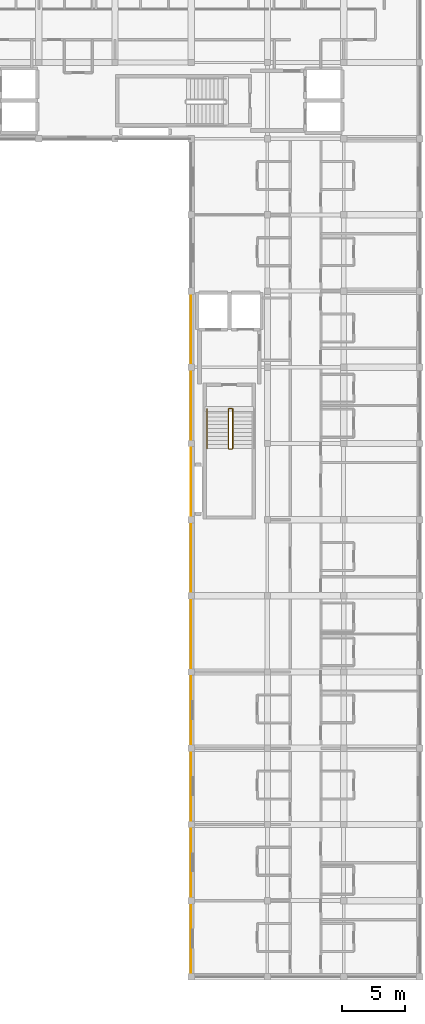
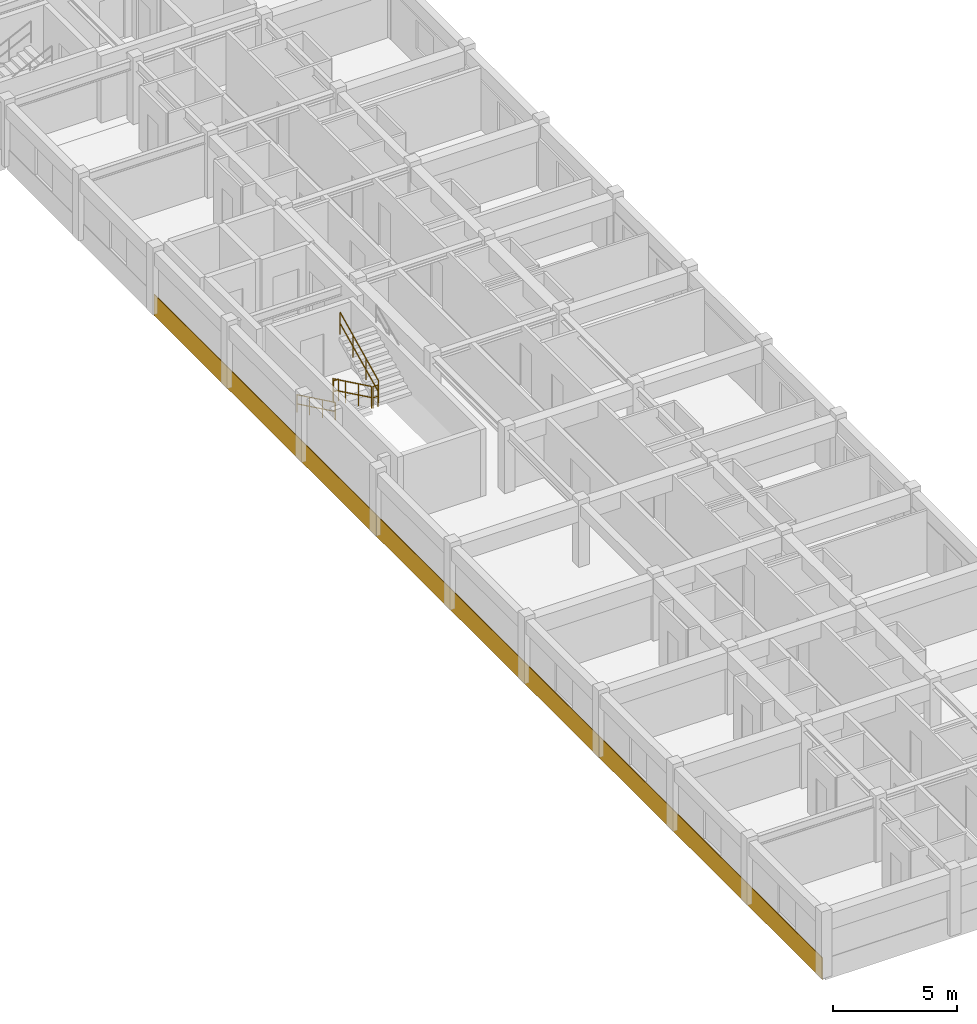
# One storey, part 12 of 15: 5 railings, 3 coverings.
"""IFC4 building model written with IfcOpenShell, lengths in metres."""

from ifc_helpers import new_model, si_unit, direction, frame, origin, origin_2d, place, context, subcontext, project, spatial, polyline, circle, outline, extrude, material, layer, layer_set, type_object, element, save


model = new_model("IFC4")

# Units and contexts
model_context = context("Model", 3, precision=1e-05, world=origin(), true_north=direction((0.0, 1.0)))
body_context = subcontext(model_context, "Body", "Model", "MODEL_VIEW")
ifc_project = project(units=[si_unit("LENGTHUNIT", "METRE"), si_unit("AREAUNIT", "SQUARE_METRE"), si_unit("VOLUMEUNIT", "CUBIC_METRE"), si_unit("PLANEANGLEUNIT", "RADIAN"), si_unit("MASSUNIT", "GRAM", prefix="KILO"), si_unit("THERMODYNAMICTEMPERATUREUNIT", "KELVIN"), si_unit("POWERUNIT", "WATT")], contexts=[model_context])

# Site, building, storey
site_placement = place(None, origin())
site = spatial("IfcSite", under=ifc_project, at=site_placement, CompositionType="ELEMENT")
building_placement = place(site_placement, origin())
building = spatial("IfcBuilding", under=site, at=building_placement, Name="Phaisarnlok Congress Hotel", CompositionType="ELEMENT")
storey_placement = place(building_placement, frame((0.0, 0.0, 41.39990234375)))
storey = spatial("IfcBuildingStorey", under=building, at=storey_placement, Name="L10", CompositionType="ELEMENT", Elevation=41.39990234375)

# Coverings
ifc_material_1 = material(Name="Anodised Silver Aluminium Alloy 6063-T6", Category="aluminium")
ifc_layer = layer(ifc_material_1, 0.031982421875, Name="Anodised Silver Aluminium Alloy 6063-T6")
ifc_layer_set = layer_set([ifc_layer], Name="Anodised Silver Aluminium Alloy 6063-T6")
covering_type = type_object("IfcCoveringType", Name="COV-SPAND-ALU", PredefinedType="CLADDING", material=ifc_layer_set)
for number, where, z_axis, x_axis, name in (
    (1, (162.0048828125, 60.06005859375, -0.27978515625), (-1.0, 0.0, 0.0), (0.0, -1.0, 0.0), "Swiss minimalist anodised silver rainscreen band CL-02 (L10 W)"),
    (2, (162.0048828125, 78.06005859375, -0.27978515625), (-1.0, 0.0, 0.0), (0.0, -1.0, 0.0), "Swiss minimalist anodised silver rainscreen band CL-02 (L10 W)"),
    (3, (162.0048828125, 96.06005859375, -0.27978515625), (-1.0, 0.0, 0.0), (0.0, -1.0, 0.0), "Swiss minimalist anodised silver rainscreen band CL-02 (L10 W)"),
):
    element("IfcCovering", number, at=place(storey_placement, frame(where, z_axis=z_axis, x_axis=x_axis)), inside=storey, type_object=covering_type, Name=name, PredefinedType="CLADDING", context=body_context, shape_type="SweptSolid", body=[
        extrude(outline(polyline([(0.0, 0.0), (18.0, 0.0), (18.0, 1.0498046875), (0.0, 1.0498046875), (0.0, 0.0)])), origin(), (0.0, 0.0, 1.0), 0.031982421875),
    ])

# Railings
ifc_material_2 = material(Name="Painted Galvanised Steel S275", Category="steel")
railing_type_1 = type_object("IfcRailingType", Name="RLG-STR-GUARD", PredefinedType="BALUSTRADE", material=ifc_material_2)
railing_1_placement = place(storey_placement, frame((164.929931640625, 86.719970703125, 0.150146484375)))
element("IfcRailing", 4, at=railing_1_placement, inside=storey, type_object=railing_type_1, Name="L10 ST-09 stair guard 1", PredefinedType="BALUSTRADE", context=body_context, shape_type="SweptSolid", body=[
    extrude(circle(Radius=0.02392578125, at=origin_2d()), frame((0.0, 0.0, 1.076171875), z_axis=(0.0, -0.900151181449, 0.435577605641), x_axis=(1.0, 0.0, 0.0)), (0.0, 0.0, 1.0), 3.443603515625),
    extrude(circle(Radius=0.02392578125, at=origin_2d()), frame((0.0, 0.0, 0.52587890625), z_axis=(0.0, -0.900151181449, 0.435577605641), x_axis=(1.0, 0.0, 0.0)), (0.0, 0.0, 1.0), 3.443603515625),
    extrude(circle(Radius=0.02099609375, at=origin_2d()), origin(), (0.0, 0.0, 1.0), 1.052001953125),
    extrude(circle(Radius=0.02099609375, at=origin_2d()), frame((0.0, -1.033203125, 0.5)), (0.0, 0.0, 1.0), 1.052001953125),
    extrude(circle(Radius=0.02099609375, at=origin_2d()), frame((0.0, -2.066650390625, 1.0)), (0.0, 0.0, 1.0), 1.052001953125),
    extrude(circle(Radius=0.02099609375, at=origin_2d()), frame((0.0, -3.099853515625, 1.5)), (0.0, 0.0, 1.0), 1.052001953125),
])
railing_2_placement = place(storey_placement, frame((164.97998046875, 83.570068359375, 1.650146484375)))
element("IfcRailing", 5, at=railing_2_placement, inside=storey, type_object=railing_type_1, Name="L10 ST-09 stair guard 2", PredefinedType="BALUSTRADE", context=body_context, shape_type="SweptSolid", body=[
    extrude(circle(Radius=0.02392578125, at=origin_2d()), frame((0.0, 0.0, 1.076171875), z_axis=(1.0, 0.0, 0.0), x_axis=(0.0, 1.0, 0.0)), (0.0, 0.0, 1.0), 0.239990234375),
    extrude(circle(Radius=0.02392578125, at=origin_2d()), frame((0.0, 0.0, 0.52587890625), z_axis=(1.0, 0.0, 0.0), x_axis=(0.0, 1.0, 0.0)), (0.0, 0.0, 1.0), 0.239990234375),
    extrude(circle(Radius=0.02099609375, at=origin_2d()), origin(), (0.0, 0.0, 1.0), 1.052001953125),
    extrude(circle(Radius=0.02099609375, at=origin_2d()), frame((0.239990234375, 0.0, 0.0)), (0.0, 0.0, 1.0), 1.052001953125),
])
railing_3_placement = place(storey_placement, frame((165.27001953125, 83.6201171875, 1.800048828125)))
element("IfcRailing", 6, at=railing_3_placement, inside=storey, type_object=railing_type_1, Name="L10 ST-09 stair guard 3", PredefinedType="BALUSTRADE", context=body_context, shape_type="SweptSolid", body=[
    extrude(circle(Radius=0.02392578125, at=origin_2d()), frame((0.0, 0.0, 1.076171875), z_axis=(0.0, 0.900151181449, 0.435577605641), x_axis=(-1.0, 0.0, 0.0)), (0.0, 0.0, 1.0), 3.443603515625),
    extrude(circle(Radius=0.02392578125, at=origin_2d()), frame((0.0, 0.0, 0.52587890625), z_axis=(0.0, 0.900151181449, 0.435577605641), x_axis=(-1.0, 0.0, 0.0)), (0.0, 0.0, 1.0), 3.443603515625),
    extrude(circle(Radius=0.02099609375, at=origin_2d()), origin(), (0.0, 0.0, 1.0), 1.052001953125),
    extrude(circle(Radius=0.02099609375, at=origin_2d()), frame((0.0, 1.033203125, 0.5)), (0.0, 0.0, 1.0), 1.052001953125),
    extrude(circle(Radius=0.02099609375, at=origin_2d()), frame((0.0, 2.066650390625, 1.0)), (0.0, 0.0, 1.0), 1.052001953125),
    extrude(circle(Radius=0.02099609375, at=origin_2d()), frame((0.0, 3.099853515625, 1.5)), (0.0, 0.0, 1.0), 1.052001953125),
])
railing_4_placement = place(storey_placement, frame((164.97998046875, 86.77001953125, 0.0)))
element("IfcRailing", 7, at=railing_4_placement, inside=storey, type_object=railing_type_1, Name="L10 ST-09 stair guard 4", PredefinedType="BALUSTRADE", context=body_context, shape_type="SweptSolid", body=[
    extrude(circle(Radius=0.02392578125, at=origin_2d()), frame((0.0, 0.0, 1.076171875), z_axis=(1.0, 0.0, 0.0), x_axis=(0.0, 1.0, 0.0)), (0.0, 0.0, 1.0), 0.239990234375),
    extrude(circle(Radius=0.02392578125, at=origin_2d()), frame((0.0, 0.0, 0.52587890625), z_axis=(1.0, 0.0, 0.0), x_axis=(0.0, 1.0, 0.0)), (0.0, 0.0, 1.0), 0.239990234375),
    extrude(circle(Radius=0.02099609375, at=origin_2d()), origin(), (0.0, 0.0, 1.0), 1.052001953125),
    extrude(circle(Radius=0.02099609375, at=origin_2d()), frame((0.239990234375, 0.0, 0.0)), (0.0, 0.0, 1.0), 1.052001953125),
])
ifc_material_3 = material(Name="Brushed Stainless Steel Grade 304", Category="steel")
railing_type_2 = type_object("IfcRailingType", Name="RLG-STR-HRAIL", PredefinedType="HANDRAIL", material=ifc_material_3)
railing_5_placement = place(storey_placement, frame((163.25, 86.719970703125, 0.150146484375)))
element("IfcRailing", 8, at=railing_5_placement, inside=storey, type_object=railing_type_2, Name="L10 ST-09 stair handrail 1", PredefinedType="HANDRAIL", context=body_context, shape_type="SweptSolid", body=[
    extrude(circle(Radius=0.02392578125, at=origin_2d()), frame((0.0, 0.0, 0.8759765625), z_axis=(0.0, -0.900151181449, 0.435577605641), x_axis=(1.0, 0.0, 0.0)), (0.0, 0.0, 1.0), 3.443603515625),
    extrude(circle(Radius=0.02392578125, at=origin_2d()), frame((0.0, 0.0, 0.42578125), z_axis=(0.0, -0.900151181449, 0.435577605641), x_axis=(1.0, 0.0, 0.0)), (0.0, 0.0, 1.0), 3.443603515625),
    extrude(circle(Radius=0.02099609375, at=origin_2d()), origin(), (0.0, 0.0, 1.0), 0.851806640625),
    extrude(circle(Radius=0.02099609375, at=origin_2d()), frame((0.0, -1.033203125, 0.5)), (0.0, 0.0, 1.0), 0.851806640625),
    extrude(circle(Radius=0.02099609375, at=origin_2d()), frame((0.0, -2.066650390625, 1.0)), (0.0, 0.0, 1.0), 0.851806640625),
    extrude(circle(Radius=0.02099609375, at=origin_2d()), frame((0.0, -3.099853515625, 1.5)), (0.0, 0.0, 1.0), 0.851806640625),
])

save(model, "model.ifc")
